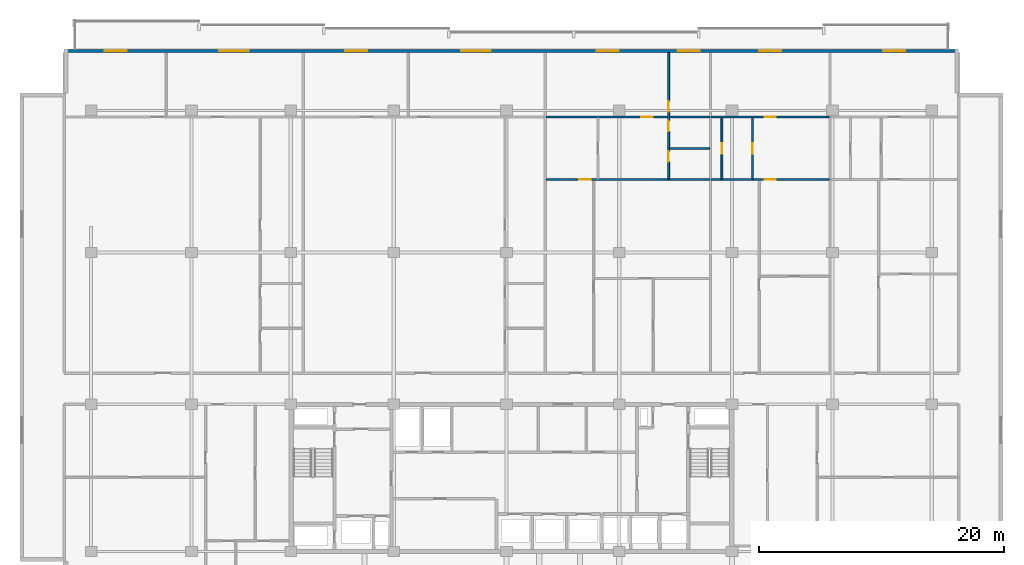
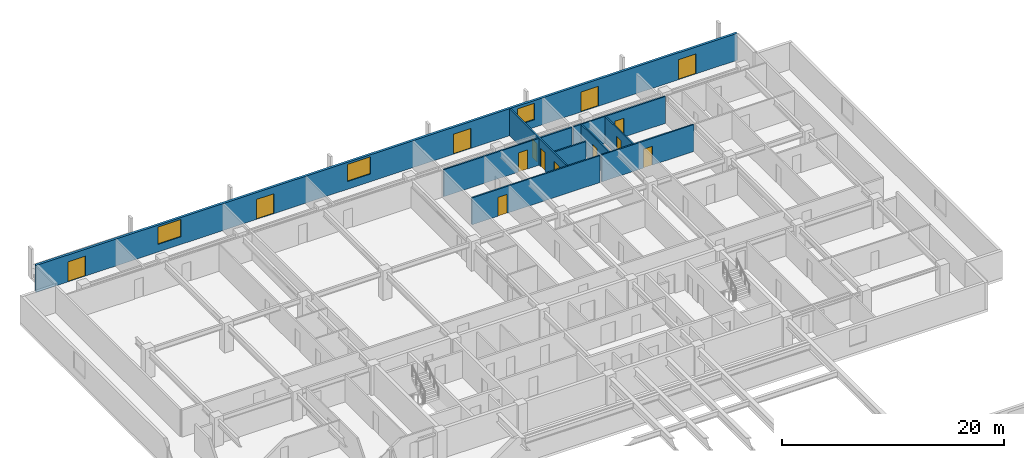
# One storey, part 14 of 21: 14 doors, 9 walls, 3 windows, 17 openings.
"""IFC4 building model written with IfcOpenShell, lengths in metres."""

from ifc_helpers import new_model, si_unit, direction, frame, frame_2d, origin, place, context, subcontext, project, spatial, rectangle, extrude, material, layer, layer_set, type_object, element, fill, save


model = new_model("IFC4")

# Units and contexts
model_context = context("Model", 3, precision=1e-05, world=origin(), true_north=direction((0.0, 1.0)))
body_context = subcontext(model_context, "Body", "Model", "MODEL_VIEW")
ifc_project = project(units=[si_unit("LENGTHUNIT", "METRE"), si_unit("AREAUNIT", "SQUARE_METRE"), si_unit("VOLUMEUNIT", "CUBIC_METRE"), si_unit("PLANEANGLEUNIT", "RADIAN"), si_unit("MASSUNIT", "GRAM", prefix="KILO")], contexts=[model_context])

# Site, building, storey
site_placement = place(None, origin())
site = spatial("IfcSite", under=ifc_project, at=site_placement, CompositionType="ELEMENT")
building_placement = place(site_placement, origin())
building = spatial("IfcBuilding", under=site, at=building_placement, Name="Korimba Cascade Residences", CompositionType="ELEMENT")
storey_placement = place(building_placement, frame((0.0, 0.0, 136.050048828125)))
storey = spatial("IfcBuildingStorey", under=building, at=storey_placement, Name="L39", CompositionType="ELEMENT", Elevation=136.050048828125)

# Wall, openings, doors, windows
ifc_material_1 = material(Name="Precast concrete C40/50", Category="concrete")
ifc_layer_1 = layer(ifc_material_1, 0.25)
ifc_layer_set_1 = layer_set([ifc_layer_1], Name="Precast concrete C40/50")
wall_type_1 = type_object("IfcWallType", Name="EW-LOG-250", PredefinedType="STANDARD", material=ifc_layer_set_1)
wall_1_placement = place(storey_placement, frame((130.60009765625, 96.050048828125, 0.0), z_axis=(0.0, 0.0, 1.0), x_axis=(-1.0, 0.0, 0.0)))
wall_1 = element("IfcWall", 1, at=wall_1_placement, inside=storey, type_object=wall_type_1, Name="L39 T1 Perimeter Stone Wall E06", PredefinedType="STANDARD", context=body_context, shape_type="SweptSolid", body=[
    extrude(rectangle(XDim=73.0, YDim=0.25, at=frame_2d((36.5, 0.0))), origin(), (0.0, 0.0, 1.0), 2.9599609375),
])
opening_1_placement = place(wall_1_placement, frame((67.875, 0.0, 0.0)))
opening_1 = element("IfcOpeningElement", 2, at=opening_1_placement, cuts=wall_1, Name="Opening D-LG1", PredefinedType="OPENING", context=body_context, shape_type="SweptSolid", body=[
    extrude(rectangle(XDim=1.800048828125, YDim=2.199951171875, at=frame_2d((0.89990234375, 1.10009765625))), frame((0.0, 0.135009765625, 0.0), z_axis=(0.0, -1.0, 0.0), x_axis=(1.0, 0.0, 0.0)), (0.0, 0.0, 1.0), 0.27001953125),
])
opening_2_placement = place(wall_1_placement, frame((57.945068359375, 0.0, 0.85009765625)))
opening_2 = element("IfcOpeningElement", 3, at=opening_2_placement, cuts=wall_1, Name="Opening W-01", PredefinedType="OPENING", context=body_context, shape_type="SweptSolid", body=[
    extrude(rectangle(XDim=2.39990234375, YDim=1.89990234375, at=frame_2d((1.199951171875, 0.949951171875))), frame((0.0, 0.135009765625, 0.0), z_axis=(0.0, -1.0, 0.0), x_axis=(1.0, 0.0, 0.0)), (0.0, 0.0, 1.0), 0.27001953125),
])
opening_3_placement = place(wall_1_placement, frame((48.2548828125, 0.0, 0.0)))
opening_3 = element("IfcOpeningElement", 4, at=opening_3_placement, cuts=wall_1, Name="Opening D-LG1", PredefinedType="OPENING", context=body_context, shape_type="SweptSolid", body=[
    extrude(rectangle(XDim=1.800048828125, YDim=2.199951171875, at=frame_2d((0.89990234375, 1.10009765625))), frame((0.0, 0.135009765625, 0.0), z_axis=(0.0, -1.0, 0.0), x_axis=(1.0, 0.0, 0.0)), (0.0, 0.0, 1.0), 0.27001953125),
])
opening_4_placement = place(wall_1_placement, frame((38.199951171875, 0.0, 0.85009765625)))
opening_4 = element("IfcOpeningElement", 5, at=opening_4_placement, cuts=wall_1, Name="Opening W-01", PredefinedType="OPENING", context=body_context, shape_type="SweptSolid", body=[
    extrude(rectangle(XDim=2.39990234375, YDim=1.89990234375, at=frame_2d((1.199951171875, 0.949951171875))), frame((0.0, 0.135009765625, 0.0), z_axis=(0.0, -1.0, 0.0), x_axis=(1.0, 0.0, 0.0)), (0.0, 0.0, 1.0), 0.27001953125),
])
opening_5_placement = place(wall_1_placement, frame((27.75, 0.0, 0.0)))
opening_5 = element("IfcOpeningElement", 6, at=opening_5_placement, cuts=wall_1, Name="Opening D-LG1", PredefinedType="OPENING", context=body_context, shape_type="SweptSolid", body=[
    extrude(rectangle(XDim=1.800048828125, YDim=2.199951171875, at=frame_2d((0.89990234375, 1.10009765625))), frame((0.0, 0.135009765625, 0.0), z_axis=(0.0, -1.0, 0.0), x_axis=(1.0, 0.0, 0.0)), (0.0, 0.0, 1.0), 0.27001953125),
])
opening_6_placement = place(wall_1_placement, frame((21.1201171875, 0.0, 0.85009765625)))
opening_6 = element("IfcOpeningElement", 7, at=opening_6_placement, cuts=wall_1, Name="Opening W-02", PredefinedType="OPENING", context=body_context, shape_type="SweptSolid", body=[
    extrude(rectangle(XDim=1.800048828125, YDim=1.800048828125, at=frame_2d((0.89990234375, 0.89990234375))), frame((0.0, 0.135009765625, 0.0), z_axis=(0.0, -1.0, 0.0), x_axis=(1.0, 0.0, 0.0)), (0.0, 0.0, 1.0), 0.27001953125),
])
opening_7_placement = place(wall_1_placement, frame((14.47509765625, 0.0, 0.0)))
opening_7 = element("IfcOpeningElement", 8, at=opening_7_placement, cuts=wall_1, Name="Opening D-LG1", PredefinedType="OPENING", context=body_context, shape_type="SweptSolid", body=[
    extrude(rectangle(XDim=1.800048828125, YDim=2.199951171875, at=frame_2d((0.89990234375, 1.10009765625))), frame((0.0, 0.135009765625, 0.0), z_axis=(0.0, -1.0, 0.0), x_axis=(1.0, 0.0, 0.0)), (0.0, 0.0, 1.0), 0.27001953125),
])
opening_8_placement = place(wall_1_placement, frame((4.35009765625, 0.0, 0.0)))
opening_8 = element("IfcOpeningElement", 9, at=opening_8_placement, cuts=wall_1, Name="Opening D-LG1", PredefinedType="OPENING", context=body_context, shape_type="SweptSolid", body=[
    extrude(rectangle(XDim=1.800048828125, YDim=2.199951171875, at=frame_2d((0.89990234375, 1.10009765625))), frame((0.0, 0.135009765625, 0.0), z_axis=(0.0, -1.0, 0.0), x_axis=(1.0, 0.0, 0.0)), (0.0, 0.0, 1.0), 0.27001953125),
])
ifc_material_2 = material(Name="Glazed Aluminium Loggia Sliding Door", Category="aluminium")
door_type_1 = type_object("IfcDoorType", Name="DR-EXT-LOG", OperationType="NOTDEFINED", PredefinedType="DOOR", material=ifc_material_2)
door_1_placement = place(opening_1_placement, origin())
door_1 = element("IfcDoor", 10, at=door_1_placement, inside=storey, type_object=door_type_1, Name="L39 T1 Loggia Sliding Door 3", OperationType="SLIDING_TO_LEFT", OverallHeight=2.199951171875, OverallWidth=1.800048828125, PredefinedType="DOOR", context=body_context, shape_type="SweptSolid", body=[
    extrude(rectangle(XDim=1.800048828125, YDim=2.199951171875, at=frame_2d((0.89990234375, 1.10009765625))), frame((0.0, 0.02490234375, 0.0), z_axis=(0.0, -1.0, 0.0), x_axis=(1.0, 0.0, 0.0)), (0.0, 0.0, 1.0), 0.050048828125),
])
fill(opening_1, door_1)
door_2_placement = place(opening_3_placement, origin())
door_2 = element("IfcDoor", 11, at=door_2_placement, inside=storey, type_object=door_type_1, Name="L39 T1 Loggia Sliding Door 5", OperationType="SLIDING_TO_LEFT", OverallHeight=2.199951171875, OverallWidth=1.800048828125, PredefinedType="DOOR", context=body_context, shape_type="SweptSolid", body=[
    extrude(rectangle(XDim=1.800048828125, YDim=2.199951171875, at=frame_2d((0.89990234375, 1.10009765625))), frame((0.0, 0.02490234375, 0.0), z_axis=(0.0, -1.0, 0.0), x_axis=(1.0, 0.0, 0.0)), (0.0, 0.0, 1.0), 0.050048828125),
])
fill(opening_3, door_2)
door_3_placement = place(opening_5_placement, origin())
door_3 = element("IfcDoor", 12, at=door_3_placement, inside=storey, type_object=door_type_1, Name="L39 T1 Loggia Sliding Door 7", OperationType="SLIDING_TO_LEFT", OverallHeight=2.199951171875, OverallWidth=1.800048828125, PredefinedType="DOOR", context=body_context, shape_type="SweptSolid", body=[
    extrude(rectangle(XDim=1.800048828125, YDim=2.199951171875, at=frame_2d((0.89990234375, 1.10009765625))), frame((0.0, 0.02490234375, 0.0), z_axis=(0.0, -1.0, 0.0), x_axis=(1.0, 0.0, 0.0)), (0.0, 0.0, 1.0), 0.050048828125),
])
fill(opening_5, door_3)
door_4_placement = place(opening_7_placement, origin())
door_4 = element("IfcDoor", 13, at=door_4_placement, inside=storey, type_object=door_type_1, Name="L39 T1 Loggia Sliding Door 9", OperationType="SLIDING_TO_LEFT", OverallHeight=2.199951171875, OverallWidth=1.800048828125, PredefinedType="DOOR", context=body_context, shape_type="SweptSolid", body=[
    extrude(rectangle(XDim=1.800048828125, YDim=2.199951171875, at=frame_2d((0.89990234375, 1.10009765625))), frame((0.0, 0.02490234375, 0.0), z_axis=(0.0, -1.0, 0.0), x_axis=(1.0, 0.0, 0.0)), (0.0, 0.0, 1.0), 0.050048828125),
])
fill(opening_7, door_4)
door_5_placement = place(opening_8_placement, origin())
door_5 = element("IfcDoor", 14, at=door_5_placement, inside=storey, type_object=door_type_1, Name="L39 T1 Loggia Sliding Door 10", OperationType="SLIDING_TO_LEFT", OverallHeight=2.199951171875, OverallWidth=1.800048828125, PredefinedType="DOOR", context=body_context, shape_type="SweptSolid", body=[
    extrude(rectangle(XDim=1.800048828125, YDim=2.199951171875, at=frame_2d((0.89990234375, 1.10009765625))), frame((0.0, 0.02490234375, 0.0), z_axis=(0.0, -1.0, 0.0), x_axis=(1.0, 0.0, 0.0)), (0.0, 0.0, 1.0), 0.050048828125),
])
fill(opening_8, door_5)
ifc_material_3 = material(Name="Double-Glazed Aluminium Window", Category="aluminium")
window_type_1 = type_object("IfcWindowType", Name="WIN-BED-1800", PartitioningType="SINGLE_PANEL", PredefinedType="WINDOW", material=ifc_material_3)
window_1_placement = place(opening_6_placement, origin())
window_1 = element("IfcWindow", 15, at=window_1_placement, inside=storey, type_object=window_type_1, Name="L39 T1 North Facade Window 8", OverallHeight=1.800048828125, OverallWidth=1.800048828125, PartitioningType="SINGLE_PANEL", PredefinedType="WINDOW", context=body_context, shape_type="SweptSolid", body=[
    extrude(rectangle(XDim=1.800048828125, YDim=1.800048828125, at=frame_2d((0.89990234375, 0.89990234375))), frame((0.0, 0.030029296875, 0.0), z_axis=(0.0, -1.0, 0.0), x_axis=(1.0, 0.0, 0.0)), (0.0, 0.0, 1.0), 0.06005859375),
])
fill(opening_6, window_1)
window_type_2 = type_object("IfcWindowType", Name="WIN-RES-2400", PartitioningType="DOUBLE_PANEL_VERTICAL", PredefinedType="WINDOW", material=ifc_material_3)
window_2_placement = place(opening_2_placement, origin())
window_2 = element("IfcWindow", 16, at=window_2_placement, inside=storey, type_object=window_type_2, Name="L39 T1 North Facade Window 4", OverallHeight=1.89990234375, OverallWidth=2.39990234375, PartitioningType="DOUBLE_PANEL_VERTICAL", PredefinedType="WINDOW", context=body_context, shape_type="SweptSolid", body=[
    extrude(rectangle(XDim=2.39990234375, YDim=1.89990234375, at=frame_2d((1.199951171875, 0.949951171875))), frame((0.0, 0.030029296875, 0.0), z_axis=(0.0, -1.0, 0.0), x_axis=(1.0, 0.0, 0.0)), (0.0, 0.0, 1.0), 0.06005859375),
])
fill(opening_2, window_2)
window_3_placement = place(opening_4_placement, origin())
window_3 = element("IfcWindow", 17, at=window_3_placement, inside=storey, type_object=window_type_2, Name="L39 T1 North Facade Window 6", OverallHeight=1.89990234375, OverallWidth=2.39990234375, PartitioningType="DOUBLE_PANEL_VERTICAL", PredefinedType="WINDOW", context=body_context, shape_type="SweptSolid", body=[
    extrude(rectangle(XDim=2.39990234375, YDim=1.89990234375, at=frame_2d((1.199951171875, 0.949951171875))), frame((0.0, 0.030029296875, 0.0), z_axis=(0.0, -1.0, 0.0), x_axis=(1.0, 0.0, 0.0)), (0.0, 0.0, 1.0), 0.06005859375),
])
fill(opening_4, window_3)

# Wall
ifc_material_4 = material(Name="Insulated Acoustic Stud Partition", Category="gypsum")
ifc_layer_2 = layer(ifc_material_4, 0.14990234375)
ifc_layer_set_2 = layer_set([ifc_layer_2], Name="Insulated Acoustic Stud Partition")
wall_type_2 = type_object("IfcWallType", Name="WAL-PART-150", PredefinedType="PARTITIONING", material=ifc_layer_set_2)
wall_2_placement = place(storey_placement, frame((106.989990234375, 88.090087890625, 0.0), z_axis=(0.0, 0.0, 1.0), x_axis=(1.0, 0.0, 0.0)))
element("IfcWall", 18, at=wall_2_placement, inside=storey, type_object=wall_type_2, Name="L39 Partition Wall WAL-L39-T1-U03-BLDIV", PredefinedType="PARTITIONING", context=body_context, shape_type="SweptSolid", body=[
    extrude(rectangle(XDim=3.280029296875, YDim=0.14990234375, at=frame_2d((1.64013671875, 0.0))), origin(), (0.0, 0.0, 1.0), 2.9599609375),
])

# Wall, openings, doors
wall_3_placement = place(storey_placement, frame((106.929931640625, 85.590087890625, 0.0), z_axis=(0.0, 0.0, 1.0), x_axis=(0.0, 1.0, 0.0)))
wall_3 = element("IfcWall", 19, at=wall_3_placement, inside=storey, type_object=wall_type_2, Name="L39 Partition Wall WAL-L39-T1-U03-V1", PredefinedType="PARTITIONING", context=body_context, shape_type="SweptSolid", body=[
    extrude(rectangle(XDim=10.309814453125, YDim=0.14990234375, at=frame_2d((5.15478515625, 0.0))), origin(), (0.0, 0.0, 1.0), 2.9599609375),
])
opening_9_placement = place(wall_3_placement, frame((1.430419921875, 0.0, 0.0)))
opening_9 = element("IfcOpeningElement", 20, at=opening_9_placement, cuts=wall_3, Name="Opening D-BT1", PredefinedType="OPENING", context=body_context, shape_type="SweptSolid", body=[
    extrude(rectangle(XDim=0.840087890625, YDim=2.0400390625, at=frame_2d((0.419921875, 1.02001953125))), frame((0.0, 0.0849609375, 0.0), z_axis=(0.0, -1.0, 0.0), x_axis=(1.0, 0.0, 0.0)), (0.0, 0.0, 1.0), 0.169921875),
])
opening_10_placement = place(wall_3_placement, frame((3.919921875, 0.0, 0.0)))
opening_10 = element("IfcOpeningElement", 21, at=opening_10_placement, cuts=wall_3, Name="Opening D-BT1", PredefinedType="OPENING", context=body_context, shape_type="SweptSolid", body=[
    extrude(rectangle(XDim=0.840087890625, YDim=2.0400390625, at=frame_2d((0.419921875, 1.02001953125))), frame((0.0, 0.0849609375, 0.0), z_axis=(0.0, -1.0, 0.0), x_axis=(1.0, 0.0, 0.0)), (0.0, 0.0, 1.0), 0.169921875),
])
opening_11_placement = place(wall_3_placement, frame((5.47998046875, 0.0, 0.0)))
opening_11 = element("IfcOpeningElement", 22, at=opening_11_placement, cuts=wall_3, Name="Opening D-IN2", PredefinedType="OPENING", context=body_context, shape_type="SweptSolid", body=[
    extrude(rectangle(XDim=0.8798828125, YDim=2.06005859375, at=frame_2d((0.43994140625, 1.030029296875))), frame((0.0, 0.0849609375, 0.0), z_axis=(0.0, -1.0, 0.0), x_axis=(1.0, 0.0, 0.0)), (0.0, 0.0, 1.0), 0.169921875),
])
ifc_material_5 = material(Name="Moisture-Resistant Bathroom Timber Door", Category="wood")
door_type_2 = type_object("IfcDoorType", Name="DR-INT-850", OperationType="NOTDEFINED", PredefinedType="DOOR", material=ifc_material_5)
door_6_placement = place(opening_9_placement, origin())
door_6 = element("IfcDoor", 23, at=door_6_placement, inside=storey, type_object=door_type_2, Name="L39-T1-U03 Bathroom Door", OperationType="SINGLE_SWING_RIGHT", OverallHeight=2.0400390625, OverallWidth=0.840087890625, PredefinedType="DOOR", context=body_context, shape_type="SweptSolid", body=[
    extrude(rectangle(XDim=0.840087890625, YDim=2.0400390625, at=frame_2d((0.419921875, 1.02001953125))), frame((0.0, 0.02490234375, 0.0), z_axis=(0.0, -1.0, 0.0), x_axis=(1.0, 0.0, 0.0)), (0.0, 0.0, 1.0), 0.050048828125),
])
fill(opening_9, door_6)
door_7_placement = place(opening_10_placement, origin())
door_7 = element("IfcDoor", 24, at=door_7_placement, inside=storey, type_object=door_type_2, Name="L39-T1-U03 Laundry Door", OperationType="SINGLE_SWING_LEFT", OverallHeight=2.0400390625, OverallWidth=0.840087890625, PredefinedType="DOOR", context=body_context, shape_type="SweptSolid", body=[
    extrude(rectangle(XDim=0.840087890625, YDim=2.0400390625, at=frame_2d((0.419921875, 1.02001953125))), frame((0.0, 0.02490234375, 0.0), z_axis=(0.0, -1.0, 0.0), x_axis=(1.0, 0.0, 0.0)), (0.0, 0.0, 1.0), 0.050048828125),
])
fill(opening_10, door_7)
ifc_material_6 = material(Name="Acoustic Timber Bedroom Door", Category="wood")
door_type_3 = type_object("IfcDoorType", Name="DR-INT-880", OperationType="NOTDEFINED", PredefinedType="DOOR", material=ifc_material_6)
door_8_placement = place(opening_11_placement, origin())
door_8 = element("IfcDoor", 25, at=door_8_placement, inside=storey, type_object=door_type_3, Name="L39-T1-U03 Bedroom 1 Door", OperationType="SINGLE_SWING_RIGHT", OverallHeight=2.06005859375, OverallWidth=0.8798828125, PredefinedType="DOOR", context=body_context, shape_type="SweptSolid", body=[
    extrude(rectangle(XDim=0.8798828125, YDim=2.06005859375, at=frame_2d((0.43994140625, 1.030029296875))), frame((0.0, 0.02490234375, 0.0), z_axis=(0.0, -1.0, 0.0), x_axis=(1.0, 0.0, 0.0)), (0.0, 0.0, 1.0), 0.050048828125),
])
fill(opening_11, door_8)

# Wall, opening, door
wall_4_placement = place(storey_placement, frame((96.929931640625, 85.550048828125, 0.0), z_axis=(0.0, 0.0, 1.0), x_axis=(1.0, 0.0, 0.0)))
wall_4 = element("IfcWall", 26, at=wall_4_placement, inside=storey, type_object=wall_type_2, Name="L39 Partition Wall WAL-L39-T1-U03-MW", PredefinedType="PARTITIONING", context=body_context, shape_type="SweptSolid", body=[
    extrude(rectangle(XDim=13.340087890625, YDim=0.14990234375, at=frame_2d((6.669921875, 0.0))), origin(), (0.0, 0.0, 1.0), 2.9599609375),
])
opening_12_placement = place(wall_4_placement, frame((2.719970703125, 0.0, 0.0)))
opening_12 = element("IfcOpeningElement", 27, at=opening_12_placement, cuts=wall_4, Name="Opening D-IN1", PredefinedType="OPENING", context=body_context, shape_type="SweptSolid", body=[
    extrude(rectangle(XDim=0.919921875, YDim=2.080078125, at=frame_2d((0.4599609375, 1.0400390625))), frame((0.0, 0.0849609375, 0.0), z_axis=(0.0, -1.0, 0.0), x_axis=(1.0, 0.0, 0.0)), (0.0, 0.0, 1.0), 0.169921875),
])
ifc_material_7 = material(Name="Acoustic Timber Living Door", Category="wood")
door_type_4 = type_object("IfcDoorType", Name="DR-INT-920", OperationType="NOTDEFINED", PredefinedType="DOOR", material=ifc_material_7)
door_9_placement = place(opening_12_placement, origin())
door_9 = element("IfcDoor", 28, at=door_9_placement, inside=storey, type_object=door_type_4, Name="L39-T1-U03 Kitchen Archway Door", OperationType="SINGLE_SWING_LEFT", OverallHeight=2.080078125, OverallWidth=0.919921875, PredefinedType="DOOR", context=body_context, shape_type="SweptSolid", body=[
    extrude(rectangle(XDim=0.919921875, YDim=2.080078125, at=frame_2d((0.4599609375, 1.0400390625))), frame((0.0, 0.02490234375, 0.0), z_axis=(0.0, -1.0, 0.0), x_axis=(1.0, 0.0, 0.0)), (0.0, 0.0, 1.0), 0.050048828125),
])
fill(opening_12, door_9)

wall_5_placement = place(storey_placement, frame((96.929931640625, 90.64990234375, 0.0), z_axis=(0.0, 0.0, 1.0), x_axis=(1.0, 0.0, 0.0)))
wall_5 = element("IfcWall", 29, at=wall_5_placement, inside=storey, type_object=wall_type_2, Name="L39 Partition Wall WAL-L39-T1-U03-HZ", PredefinedType="PARTITIONING", context=body_context, shape_type="SweptSolid", body=[
    extrude(rectangle(XDim=13.340087890625, YDim=0.14990234375, at=frame_2d((6.669921875, 0.0))), origin(), (0.0, 0.0, 1.0), 2.9599609375),
])
opening_13_placement = place(wall_5_placement, frame((7.78271484375, 0.0, 0.0)))
opening_13 = element("IfcOpeningElement", 30, at=opening_13_placement, cuts=wall_5, Name="Opening D-IN0", PredefinedType="OPENING", context=body_context, shape_type="SweptSolid", body=[
    extrude(rectangle(XDim=0.93994140625, YDim=2.10009765625, at=frame_2d((0.469970703125, 1.050048828125))), frame((0.0, 0.0849609375, 0.0), z_axis=(0.0, -1.0, 0.0), x_axis=(1.0, 0.0, 0.0)), (0.0, 0.0, 1.0), 0.169921875),
])
ifc_material_8 = material(Name="Acoustic Timber Living Archway Door", Category="wood")
door_type_5 = type_object("IfcDoorType", Name="DR-INT-950", OperationType="NOTDEFINED", PredefinedType="DOOR", material=ifc_material_8)
door_10_placement = place(opening_13_placement, origin())
door_10 = element("IfcDoor", 31, at=door_10_placement, inside=storey, type_object=door_type_5, Name="L39-T1-U03 Living Archway Door", OperationType="SINGLE_SWING_RIGHT", OverallHeight=2.10009765625, OverallWidth=0.93994140625, PredefinedType="DOOR", context=body_context, shape_type="SweptSolid", body=[
    extrude(rectangle(XDim=0.93994140625, YDim=2.10009765625, at=frame_2d((0.469970703125, 1.050048828125))), frame((0.0, 0.02490234375, 0.0), z_axis=(0.0, -1.0, 0.0), x_axis=(1.0, 0.0, 0.0)), (0.0, 0.0, 1.0), 0.050048828125),
])
fill(opening_13, door_10)

wall_6_placement = place(storey_placement, frame((111.280029296875, 85.590087890625, 0.0), z_axis=(0.0, 0.0, 1.0), x_axis=(0.0, 1.0, 0.0)))
wall_6 = element("IfcWall", 32, at=wall_6_placement, inside=storey, type_object=wall_type_2, Name="L39 Partition Wall WAL-L39-T1-U04-CLS", PredefinedType="PARTITIONING", context=body_context, shape_type="SweptSolid", body=[
    extrude(rectangle(XDim=5.0, YDim=0.14990234375, at=frame_2d((2.5, 0.0))), origin(), (0.0, 0.0, 1.0), 2.9599609375),
])
opening_14_placement = place(wall_6_placement, frame((2.080078125, 0.0, 0.0)))
opening_14 = element("IfcOpeningElement", 33, at=opening_14_placement, cuts=wall_6, Name="Opening D-BT1", PredefinedType="OPENING", context=body_context, shape_type="SweptSolid", body=[
    extrude(rectangle(XDim=0.840087890625, YDim=2.0400390625, at=frame_2d((0.419921875, 1.02001953125))), frame((0.0, 0.0849609375, 0.0), z_axis=(0.0, -1.0, 0.0), x_axis=(1.0, 0.0, 0.0)), (0.0, 0.0, 1.0), 0.169921875),
])
door_11_placement = place(opening_14_placement, origin())
door_11 = element("IfcDoor", 34, at=door_11_placement, inside=storey, type_object=door_type_2, Name="L39-T1-U04 Closet Door", OperationType="SINGLE_SWING_LEFT", OverallHeight=2.0400390625, OverallWidth=0.840087890625, PredefinedType="DOOR", context=body_context, shape_type="SweptSolid", body=[
    extrude(rectangle(XDim=0.840087890625, YDim=2.0400390625, at=frame_2d((0.419921875, 1.02001953125))), frame((0.0, 0.02490234375, 0.0), z_axis=(0.0, -1.0, 0.0), x_axis=(1.0, 0.0, 0.0)), (0.0, 0.0, 1.0), 0.050048828125),
])
fill(opening_14, door_11)

wall_7_placement = place(storey_placement, frame((113.780029296875, 85.590087890625, 0.0), z_axis=(0.0, 0.0, 1.0), x_axis=(0.0, 1.0, 0.0)))
wall_7 = element("IfcWall", 35, at=wall_7_placement, inside=storey, type_object=wall_type_2, Name="L39 Partition Wall WAL-L39-T1-U04-BM", PredefinedType="PARTITIONING", context=body_context, shape_type="SweptSolid", body=[
    extrude(rectangle(XDim=5.0, YDim=0.14990234375, at=frame_2d((2.5, 0.0))), origin(), (0.0, 0.0, 1.0), 2.9599609375),
])
opening_15_placement = place(wall_7_placement, frame((2.080078125, 0.0, 0.0)))
opening_15 = element("IfcOpeningElement", 36, at=opening_15_placement, cuts=wall_7, Name="Opening D-BT1", PredefinedType="OPENING", context=body_context, shape_type="SweptSolid", body=[
    extrude(rectangle(XDim=0.840087890625, YDim=2.0400390625, at=frame_2d((0.419921875, 1.02001953125))), frame((0.0, 0.0849609375, 0.0), z_axis=(0.0, -1.0, 0.0), x_axis=(1.0, 0.0, 0.0)), (0.0, 0.0, 1.0), 0.169921875),
])
door_12_placement = place(opening_15_placement, origin())
door_12 = element("IfcDoor", 37, at=door_12_placement, inside=storey, type_object=door_type_2, Name="L39-T1-U04 Bathroom Door", OperationType="SINGLE_SWING_RIGHT", OverallHeight=2.0400390625, OverallWidth=0.840087890625, PredefinedType="DOOR", context=body_context, shape_type="SweptSolid", body=[
    extrude(rectangle(XDim=0.840087890625, YDim=2.0400390625, at=frame_2d((0.419921875, 1.02001953125))), frame((0.0, 0.02490234375, 0.0), z_axis=(0.0, -1.0, 0.0), x_axis=(1.0, 0.0, 0.0)), (0.0, 0.0, 1.0), 0.050048828125),
])
fill(opening_15, door_12)

wall_8_placement = place(storey_placement, frame((110.429931640625, 85.550048828125, 0.0), z_axis=(0.0, 0.0, 1.0), x_axis=(1.0, 0.0, 0.0)))
wall_8 = element("IfcWall", 38, at=wall_8_placement, inside=storey, type_object=wall_type_2, Name="L39 Partition Wall WAL-L39-T1-U04-MW", PredefinedType="PARTITIONING", context=body_context, shape_type="SweptSolid", body=[
    extrude(rectangle(XDim=9.590087890625, YDim=0.14990234375, at=frame_2d((4.794921875, 0.0))), origin(), (0.0, 0.0, 1.0), 2.9599609375),
])
opening_16_placement = place(wall_8_placement, frame((4.3349609375, 0.0, 0.0)))
opening_16 = element("IfcOpeningElement", 39, at=opening_16_placement, cuts=wall_8, Name="Opening D-IN1", PredefinedType="OPENING", context=body_context, shape_type="SweptSolid", body=[
    extrude(rectangle(XDim=0.919921875, YDim=2.080078125, at=frame_2d((0.4599609375, 1.0400390625))), frame((0.0, 0.0849609375, 0.0), z_axis=(0.0, -1.0, 0.0), x_axis=(1.0, 0.0, 0.0)), (0.0, 0.0, 1.0), 0.169921875),
])
door_13_placement = place(opening_16_placement, origin())
door_13 = element("IfcDoor", 40, at=door_13_placement, inside=storey, type_object=door_type_4, Name="L39-T1-U04 Studio Kitchen Door", OperationType="SINGLE_SWING_LEFT", OverallHeight=2.080078125, OverallWidth=0.919921875, PredefinedType="DOOR", context=body_context, shape_type="SweptSolid", body=[
    extrude(rectangle(XDim=0.919921875, YDim=2.080078125, at=frame_2d((0.4599609375, 1.0400390625))), frame((0.0, 0.02490234375, 0.0), z_axis=(0.0, -1.0, 0.0), x_axis=(1.0, 0.0, 0.0)), (0.0, 0.0, 1.0), 0.050048828125),
])
fill(opening_16, door_13)

wall_9_placement = place(storey_placement, frame((110.429931640625, 90.64990234375, 0.0), z_axis=(0.0, 0.0, 1.0), x_axis=(1.0, 0.0, 0.0)))
wall_9 = element("IfcWall", 41, at=wall_9_placement, inside=storey, type_object=wall_type_2, Name="L39 Partition Wall WAL-L39-T1-U04-HZ", PredefinedType="PARTITIONING", context=body_context, shape_type="SweptSolid", body=[
    extrude(rectangle(XDim=9.590087890625, YDim=0.14990234375, at=frame_2d((4.794921875, 0.0))), origin(), (0.0, 0.0, 1.0), 2.9599609375),
])
opening_17_placement = place(wall_9_placement, frame((4.3349609375, 0.0, 0.0)))
opening_17 = element("IfcOpeningElement", 42, at=opening_17_placement, cuts=wall_9, Name="Opening D-IN1", PredefinedType="OPENING", context=body_context, shape_type="SweptSolid", body=[
    extrude(rectangle(XDim=0.919921875, YDim=2.080078125, at=frame_2d((0.4599609375, 1.0400390625))), frame((0.0, 0.0849609375, 0.0), z_axis=(0.0, -1.0, 0.0), x_axis=(1.0, 0.0, 0.0)), (0.0, 0.0, 1.0), 0.169921875),
])
door_14_placement = place(opening_17_placement, origin())
door_14 = element("IfcDoor", 43, at=door_14_placement, inside=storey, type_object=door_type_4, Name="L39-T1-U04 Studio Door", OperationType="SINGLE_SWING_RIGHT", OverallHeight=2.080078125, OverallWidth=0.919921875, PredefinedType="DOOR", context=body_context, shape_type="SweptSolid", body=[
    extrude(rectangle(XDim=0.919921875, YDim=2.080078125, at=frame_2d((0.4599609375, 1.0400390625))), frame((0.0, 0.02490234375, 0.0), z_axis=(0.0, -1.0, 0.0), x_axis=(1.0, 0.0, 0.0)), (0.0, 0.0, 1.0), 0.050048828125),
])
fill(opening_17, door_14)

save(model, "model.ifc")
